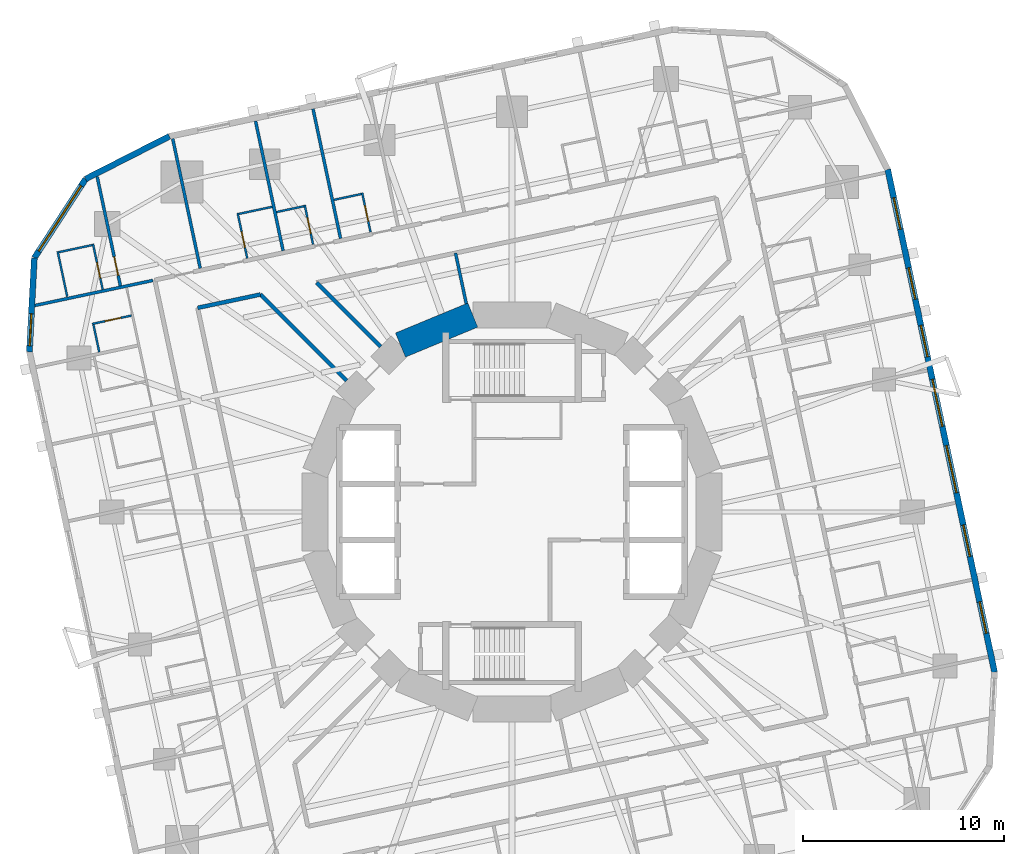
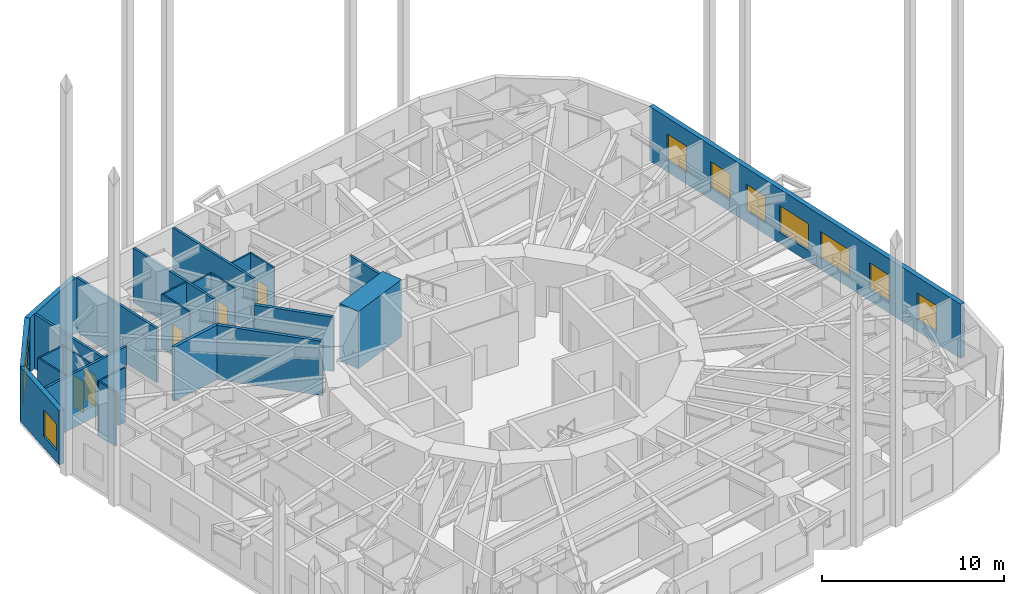
# One storey, part 9 of 12: 25 walls, 9 windows, 6 doors, 15 openings.
"""IFC4 building model written with IfcOpenShell, lengths in metres."""

from ifc_helpers import new_model, si_unit, direction, frame, frame_2d, origin, place, context, subcontext, project, spatial, rectangle, extrude, material, layer, layer_set, type_object, element, fill, save


model = new_model("IFC4")

# Units and contexts
model_context = context("Model", 3, precision=1e-05, world=origin(), true_north=direction((0.0, 1.0)))
body_context = subcontext(model_context, "Body", "Model", "MODEL_VIEW")
ifc_project = project(units=[si_unit("LENGTHUNIT", "METRE"), si_unit("AREAUNIT", "SQUARE_METRE"), si_unit("VOLUMEUNIT", "CUBIC_METRE"), si_unit("PLANEANGLEUNIT", "RADIAN"), si_unit("MASSUNIT", "GRAM", prefix="KILO")], contexts=[model_context])

# Site, building, storey
site_placement = place(None, origin())
site = spatial("IfcSite", under=ifc_project, at=site_placement, CompositionType="ELEMENT")
building_placement = place(site_placement, origin())
building = spatial("IfcBuilding", under=site, at=building_placement, Name="Nakasero Lantern House", CompositionType="ELEMENT")
storey_placement = place(building_placement, frame((0.0, 0.0, 101.14990234375)))
storey = spatial("IfcBuildingStorey", under=building, at=storey_placement, Name="L24", CompositionType="ELEMENT", Elevation=101.14990234375)

# Walls
ifc_material_1 = material(Name="Concrete C50/60", Category="concrete")
ifc_layer_1 = layer(ifc_material_1, 1.300048828125)
ifc_layer_set_1 = layer_set([ifc_layer_1], Name="Core wall 1300")
wall_type_1 = type_object("IfcWallType", Name="Core wall 1300", PredefinedType="SHEAR", material=ifc_layer_set_1)
wall_1_placement = place(storey_placement, frame((-1.950927734375, 9.807861328125, 0.0), z_axis=(0.0, 0.0, 1.0), x_axis=(-0.923876507187, -0.382690736062, 0.0)))
element("IfcWall", 1, at=wall_1_placement, inside=storey, type_object=wall_type_1, Name="Core wall L24 facet 5", PredefinedType="SHEAR", context=body_context, shape_type="SweptSolid", body=[
    extrude(rectangle(XDim=3.90185546875, YDim=1.300048828125, at=frame_2d((1.950927734375, 0.0))), origin(), (0.0, 0.0, 1.0), 3.85009765625),
])
ifc_material_2 = material(Name="Blockwork", Category="masonry")
ifc_layer_2 = layer(ifc_material_2, 0.199951171875)
ifc_layer_set_2 = layer_set([ifc_layer_2], Name="Corridor wall 200")
wall_type_2 = type_object("IfcWallType", Name="Corridor wall 200", PredefinedType="PARTITIONING", material=ifc_layer_set_2)
wall_2_placement = place(storey_placement, frame((-12.52880859375, 10.831787109375, 0.0), z_axis=(0.0, 0.0, 1.0), x_axis=(-0.978141962979, -0.2079382126, 0.0)))
element("IfcWall", 2, at=wall_2_placement, inside=storey, type_object=wall_type_2, Name="Corridor wall L24 IW1-1", PredefinedType="PARTITIONING", context=body_context, shape_type="SweptSolid", body=[
    extrude(rectangle(XDim=3.197021484375, YDim=0.199951171875, at=frame_2d((1.5986328125, 0.0))), origin(), (0.0, 0.0, 1.0), 3.650146484375),
])
wall_3_placement = place(storey_placement, frame((-8.243408203125, 6.54638671875, 0.0), z_axis=(0.0, 0.0, 1.0), x_axis=(-0.707106781187, 0.707106781187, 0.0)))
element("IfcWall", 3, at=wall_3_placement, inside=storey, type_object=wall_type_2, Name="Corridor wall L24 PS06a", PredefinedType="PARTITIONING", context=body_context, shape_type="SweptSolid", body=[
    extrude(rectangle(XDim=6.060546875, YDim=0.199951171875, at=frame_2d((3.0302734375, 0.0))), origin(), (0.0, 0.0, 1.0), 3.650146484375),
])
wall_4_placement = place(storey_placement, frame((-6.54638671875, 8.243408203125, 0.0), z_axis=(0.0, 0.0, 1.0), x_axis=(-0.707106781187, 0.707106781187, 0.0)))
element("IfcWall", 4, at=wall_4_placement, inside=storey, type_object=wall_type_2, Name="Corridor wall L24 PS06b", PredefinedType="PARTITIONING", context=body_context, shape_type="SweptSolid", body=[
    extrude(rectangle(XDim=4.501953125, YDim=0.199951171875, at=frame_2d((2.2509765625, 0.0))), origin(), (0.0, 0.0, 1.0), 3.650146484375),
])

# Wall, opening, door
ifc_material_3 = material(Name="Blockwork", Category="masonry")
ifc_layer_3 = layer(ifc_material_3, 0.10009765625)
ifc_layer_set_3 = layer_set([ifc_layer_3], Name="En-suite wall 100")
wall_type_3 = type_object("IfcWallType", Name="En-suite wall 100", PredefinedType="PARTITIONING", material=ifc_layer_set_3)
wall_5_placement = place(storey_placement, frame((-7.046142578125, 13.939697265625, 0.0), z_axis=(0.0, 0.0, 1.0), x_axis=(-0.207886494942, 0.978152955943, 0.0)))
wall_5 = element("IfcWall", 5, at=wall_5_placement, inside=storey, type_object=wall_type_3, Name="En-suite wall L24 ES1-05", PredefinedType="PARTITIONING", context=body_context, shape_type="SweptSolid", body=[
    extrude(rectangle(XDim=2.0, YDim=0.10009765625, at=frame_2d((1.0, 0.0))), origin(), (0.0, 0.0, 1.0), 3.650146484375),
])
opening_1_placement = place(wall_5_placement, frame((0.550048828125, 0.0, 0.0)))
opening_1 = element("IfcOpeningElement", 6, at=opening_1_placement, cuts=wall_5, Name="Opening D02", PredefinedType="OPENING", context=body_context, shape_type="SweptSolid", body=[
    extrude(rectangle(XDim=0.800048828125, YDim=2.10009765625, at=frame_2d((0.39990234375, 1.050048828125))), frame((0.0, 0.070068359375, 0.0), z_axis=(0.0, -1.0, 0.0), x_axis=(1.0, 0.0, 0.0)), (0.0, 0.0, 1.0), 0.14013671875),
])
ifc_material_4 = material(Name="Timber C24", Category="wood")
door_type_1 = type_object("IfcDoorType", Name="En-suite door 800", OperationType="SINGLE_SWING_RIGHT", PredefinedType="DOOR", material=ifc_material_4)
door_1_placement = place(opening_1_placement, origin())
door_1 = element("IfcDoor", 7, at=door_1_placement, inside=storey, type_object=door_type_1, Name="Door L24 DE1-05", OperationType="SINGLE_SWING_LEFT", OverallHeight=2.10009765625, OverallWidth=0.800048828125, PredefinedType="DOOR", context=body_context, shape_type="SweptSolid", body=[
    extrude(rectangle(XDim=0.800048828125, YDim=2.10009765625, at=frame_2d((0.39990234375, 1.050048828125))), frame((0.0, 0.02490234375, 0.0), z_axis=(0.0, -1.0, 0.0), x_axis=(1.0, 0.0, 0.0)), (0.0, 0.0, 1.0), 0.050048828125),
])
fill(opening_1, door_1)

# Wall
wall_6_placement = place(storey_placement, frame((-7.50048828125, 15.836669921875, 0.0), z_axis=(0.0, 0.0, 1.0), x_axis=(-0.978155748334, -0.207873355681, 0.0)))
element("IfcWall", 8, at=wall_6_placement, inside=storey, type_object=wall_type_3, Name="En-suite wall L24 EE1-05", PredefinedType="PARTITIONING", context=body_context, shape_type="SweptSolid", body=[
    extrude(rectangle(XDim=1.39990234375, YDim=0.10009765625, at=frame_2d((0.699951171875, 0.0))), origin(), (0.0, 0.0, 1.0), 3.650146484375),
])

# Wall, opening, door
wall_7_placement = place(storey_placement, frame((-9.908447265625, 13.331298828125, 0.0), z_axis=(0.0, 0.0, 1.0), x_axis=(-0.208003285743, 0.978128127149, 0.0)))
wall_7 = element("IfcWall", 9, at=wall_7_placement, inside=storey, type_object=wall_type_3, Name="En-suite wall L24 ES1-06", PredefinedType="PARTITIONING", context=body_context, shape_type="SweptSolid", body=[
    extrude(rectangle(XDim=2.0, YDim=0.10009765625, at=frame_2d((1.0, 0.0))), origin(), (0.0, 0.0, 1.0), 3.650146484375),
])
opening_2_placement = place(wall_7_placement, frame((0.550048828125, 0.0, 0.0)))
opening_2 = element("IfcOpeningElement", 10, at=opening_2_placement, cuts=wall_7, Name="Opening D02", PredefinedType="OPENING", context=body_context, shape_type="SweptSolid", body=[
    extrude(rectangle(XDim=0.800048828125, YDim=2.10009765625, at=frame_2d((0.39990234375, 1.050048828125))), frame((0.0, 0.070068359375, 0.0), z_axis=(0.0, -1.0, 0.0), x_axis=(1.0, 0.0, 0.0)), (0.0, 0.0, 1.0), 0.14013671875),
])
door_2_placement = place(opening_2_placement, origin())
door_2 = element("IfcDoor", 11, at=door_2_placement, inside=storey, type_object=door_type_1, Name="Door L24 DE1-06", OperationType="SINGLE_SWING_LEFT", OverallHeight=2.10009765625, OverallWidth=0.800048828125, PredefinedType="DOOR", context=body_context, shape_type="SweptSolid", body=[
    extrude(rectangle(XDim=0.800048828125, YDim=2.10009765625, at=frame_2d((0.39990234375, 1.050048828125))), frame((0.0, 0.02490234375, 0.0), z_axis=(0.0, -1.0, 0.0), x_axis=(1.0, 0.0, 0.0)), (0.0, 0.0, 1.0), 0.050048828125),
])
fill(opening_2, door_2)

# Wall
wall_8_placement = place(storey_placement, frame((-10.36279296875, 15.228271484375, 0.0), z_axis=(0.0, 0.0, 1.0), x_axis=(-0.978155748334, -0.207873355681, 0.0)))
element("IfcWall", 12, at=wall_8_placement, inside=storey, type_object=wall_type_3, Name="En-suite wall L24 EE1-06", PredefinedType="PARTITIONING", context=body_context, shape_type="SweptSolid", body=[
    extrude(rectangle(XDim=1.39990234375, YDim=0.10009765625, at=frame_2d((0.699951171875, 0.0))), origin(), (0.0, 0.0, 1.0), 3.650146484375),
])

# Wall, opening, door
wall_9_placement = place(storey_placement, frame((-13.185302734375, 12.634765625, 0.0), z_axis=(0.0, 0.0, 1.0), x_axis=(-0.207941273027, 0.978141312374, 0.0)))
wall_9 = element("IfcWall", 13, at=wall_9_placement, inside=storey, type_object=wall_type_3, Name="En-suite wall L24 ES1-07", PredefinedType="PARTITIONING", context=body_context, shape_type="SweptSolid", body=[
    extrude(rectangle(XDim=2.300048828125, YDim=0.10009765625, at=frame_2d((1.14990234375, 0.0))), origin(), (0.0, 0.0, 1.0), 3.650146484375),
])
opening_3_placement = place(wall_9_placement, frame((0.550048828125, 0.0, 0.0)))
opening_3 = element("IfcOpeningElement", 14, at=opening_3_placement, cuts=wall_9, Name="Opening D02", PredefinedType="OPENING", context=body_context, shape_type="SweptSolid", body=[
    extrude(rectangle(XDim=0.800048828125, YDim=2.10009765625, at=frame_2d((0.39990234375, 1.050048828125))), frame((0.0, 0.070068359375, 0.0), z_axis=(0.0, -1.0, 0.0), x_axis=(1.0, 0.0, 0.0)), (0.0, 0.0, 1.0), 0.14013671875),
])
door_3_placement = place(opening_3_placement, origin())
door_3 = element("IfcDoor", 15, at=door_3_placement, inside=storey, type_object=door_type_1, Name="Door L24 DE1-07", OperationType="SINGLE_SWING_LEFT", OverallHeight=2.10009765625, OverallWidth=0.800048828125, PredefinedType="DOOR", context=body_context, shape_type="SweptSolid", body=[
    extrude(rectangle(XDim=0.800048828125, YDim=2.10009765625, at=frame_2d((0.39990234375, 1.050048828125))), frame((0.0, 0.02490234375, 0.0), z_axis=(0.0, -1.0, 0.0), x_axis=(1.0, 0.0, 0.0)), (0.0, 0.0, 1.0), 0.050048828125),
])
fill(opening_3, door_3)

# Wall
wall_10_placement = place(storey_placement, frame((-11.94140625, 15.199462890625, 0.0), z_axis=(0.0, 0.0, 1.0), x_axis=(-0.97813950236, -0.207949787024, 0.0)))
element("IfcWall", 16, at=wall_10_placement, inside=storey, type_object=wall_type_3, Name="En-suite wall L24 EE1-07", PredefinedType="PARTITIONING", context=body_context, shape_type="SweptSolid", body=[
    extrude(rectangle(XDim=1.699951171875, YDim=0.10009765625, at=frame_2d((0.85009765625, 0.0))), origin(), (0.0, 0.0, 1.0), 3.650146484375),
])

# Wall, opening, door
wall_11_placement = place(storey_placement, frame((-20.382568359375, 11.069091796875, 0.0), z_axis=(0.0, 0.0, 1.0), x_axis=(-0.207965047255, 0.978136257952, 0.0)))
wall_11 = element("IfcWall", 17, at=wall_11_placement, inside=storey, type_object=wall_type_3, Name="En-suite wall L24 ES1-08", PredefinedType="PARTITIONING", context=body_context, shape_type="SweptSolid", body=[
    extrude(rectangle(XDim=2.3349609375, YDim=0.10009765625, at=frame_2d((1.16748046875, 0.0))), origin(), (0.0, 0.0, 1.0), 3.650146484375),
])
opening_4_placement = place(wall_11_placement, frame((0.5849609375, 0.0, 0.0)))
opening_4 = element("IfcOpeningElement", 18, at=opening_4_placement, cuts=wall_11, Name="Opening D02", PredefinedType="OPENING", context=body_context, shape_type="SweptSolid", body=[
    extrude(rectangle(XDim=0.800048828125, YDim=2.10009765625, at=frame_2d((0.39990234375, 1.050048828125))), frame((0.0, 0.070068359375, 0.0), z_axis=(0.0, -1.0, 0.0), x_axis=(1.0, 0.0, 0.0)), (0.0, 0.0, 1.0), 0.14013671875),
])
door_4_placement = place(opening_4_placement, origin())
door_4 = element("IfcDoor", 19, at=door_4_placement, inside=storey, type_object=door_type_1, Name="Door L24 DE1-08", OperationType="SINGLE_SWING_LEFT", OverallHeight=2.10009765625, OverallWidth=0.800048828125, PredefinedType="DOOR", context=body_context, shape_type="SweptSolid", body=[
    extrude(rectangle(XDim=0.800048828125, YDim=2.10009765625, at=frame_2d((0.39990234375, 1.050048828125))), frame((0.0, 0.02490234375, 0.0), z_axis=(0.0, -1.0, 0.0), x_axis=(1.0, 0.0, 0.0)), (0.0, 0.0, 1.0), 0.050048828125),
])
fill(opening_4, door_4)

# Walls
wall_12_placement = place(storey_placement, frame((-20.906494140625, 13.293701171875, 0.0), z_axis=(0.0, 0.0, 1.0), x_axis=(-0.978168704767, -0.207812379357, 0.0)))
element("IfcWall", 20, at=wall_12_placement, inside=storey, type_object=wall_type_3, Name="En-suite wall L24 EE1-08", PredefinedType="PARTITIONING", context=body_context, shape_type="SweptSolid", body=[
    extrude(rectangle(XDim=1.699951171875, YDim=0.10009765625, at=frame_2d((0.85009765625, 0.0))), origin(), (0.0, 0.0, 1.0), 3.650146484375),
])
wall_13_placement = place(storey_placement, frame((-22.150634765625, 10.72900390625, 0.0), z_axis=(0.0, 0.0, 1.0), x_axis=(-0.207839712757, 0.978162897375, 0.0)))
element("IfcWall", 21, at=wall_13_placement, inside=storey, type_object=wall_type_3, Name="En-suite wall L24 EV1-08", PredefinedType="PARTITIONING", context=body_context, shape_type="SweptSolid", body=[
    extrude(rectangle(XDim=2.300048828125, YDim=0.10009765625, at=frame_2d((1.14990234375, 0.0))), origin(), (0.0, 0.0, 1.0), 3.650146484375),
])

# Wall, opening, door
wall_14_placement = place(storey_placement, frame((-18.947998046875, 9.783203125, 0.0), z_axis=(0.0, 0.0, 1.0), x_axis=(-0.978128127149, -0.208003285743, 0.0)))
wall_14 = element("IfcWall", 22, at=wall_14_placement, inside=storey, type_object=wall_type_3, Name="En-suite wall L24 ES2-00", PredefinedType="PARTITIONING", context=body_context, shape_type="SweptSolid", body=[
    extrude(rectangle(XDim=2.0, YDim=0.10009765625, at=frame_2d((1.0, 0.0))), origin(), (0.0, 0.0, 1.0), 3.650146484375),
])
opening_5_placement = place(wall_14_placement, frame((0.550048828125, 0.0, 0.0)))
opening_5 = element("IfcOpeningElement", 23, at=opening_5_placement, cuts=wall_14, Name="Opening D02", PredefinedType="OPENING", context=body_context, shape_type="SweptSolid", body=[
    extrude(rectangle(XDim=0.800048828125, YDim=2.10009765625, at=frame_2d((0.39990234375, 1.050048828125))), frame((0.0, 0.070068359375, 0.0), z_axis=(0.0, -1.0, 0.0), x_axis=(1.0, 0.0, 0.0)), (0.0, 0.0, 1.0), 0.14013671875),
])
door_5_placement = place(opening_5_placement, origin())
door_5 = element("IfcDoor", 24, at=door_5_placement, inside=storey, type_object=door_type_1, Name="Door L24 DE2-00", OperationType="SINGLE_SWING_LEFT", OverallHeight=2.10009765625, OverallWidth=0.800048828125, PredefinedType="DOOR", context=body_context, shape_type="SweptSolid", body=[
    extrude(rectangle(XDim=0.800048828125, YDim=2.10009765625, at=frame_2d((0.39990234375, 1.050048828125))), frame((0.0, 0.02490234375, 0.0), z_axis=(0.0, -1.0, 0.0), x_axis=(1.0, 0.0, 0.0)), (0.0, 0.0, 1.0), 0.050048828125),
])
fill(opening_5, door_5)

# Wall
wall_15_placement = place(storey_placement, frame((-20.844970703125, 9.328857421875, 0.0), z_axis=(0.0, 0.0, 1.0), x_axis=(0.207873355681, -0.978155748334, 0.0)))
element("IfcWall", 25, at=wall_15_placement, inside=storey, type_object=wall_type_3, Name="En-suite wall L24 EE2-00", PredefinedType="PARTITIONING", context=body_context, shape_type="SweptSolid", body=[
    extrude(rectangle(XDim=1.39990234375, YDim=0.10009765625, at=frame_2d((0.699951171875, 0.0))), origin(), (0.0, 0.0, 1.0), 3.650146484375),
])

# Wall, openings, windows
ifc_material_5 = material(Name="Aluminium rainscreen on blockwork", Category="masonry")
ifc_layer_4 = layer(ifc_material_5, 0.300048828125)
ifc_layer_set_4 = layer_set([ifc_layer_4], Name="Facade wall 300")
wall_type_4 = type_object("IfcWallType", Name="Facade wall 300", PredefinedType="SOLIDWALL", material=ifc_layer_set_4)
wall_16_placement = place(storey_placement, frame((24.03369140625, -7.9775390625, 0.0), z_axis=(0.0, 0.0, 1.0), x_axis=(-0.207909055127, 0.978148160964, 0.0)))
wall_16 = element("IfcWall", 26, at=wall_16_placement, inside=storey, type_object=wall_type_4, Name="Facade wall L24 FW0S", PredefinedType="SOLIDWALL", context=body_context, shape_type="SweptSolid", body=[
    extrude(rectangle(XDim=25.60009765625, YDim=0.300048828125, at=frame_2d((12.800048828125, 0.0))), origin(), (0.0, 0.0, 1.0), 3.650146484375),
])
opening_6_placement = place(wall_16_placement, frame((1.975830078125, 0.0, 0.75)))
opening_6 = element("IfcOpeningElement", 27, at=opening_6_placement, cuts=wall_16, Name="Opening W01", PredefinedType="OPENING", context=body_context, shape_type="SweptSolid", body=[
    extrude(rectangle(XDim=1.60009765625, YDim=1.800048828125, at=frame_2d((0.800048828125, 0.89990234375))), frame((0.0, 0.169921875, 0.0), z_axis=(0.0, -1.0, 0.0), x_axis=(1.0, 0.0, 0.0)), (0.0, 0.0, 1.0), 0.340087890625),
])
opening_7_placement = place(wall_16_placement, frame((5.8955078125, 0.0, 0.75)))
opening_7 = element("IfcOpeningElement", 28, at=opening_7_placement, cuts=wall_16, Name="Opening W01", PredefinedType="OPENING", context=body_context, shape_type="SweptSolid", body=[
    extrude(rectangle(XDim=1.60009765625, YDim=1.800048828125, at=frame_2d((0.800048828125, 0.89990234375))), frame((0.0, 0.169921875, 0.0), z_axis=(0.0, -1.0, 0.0), x_axis=(1.0, 0.0, 0.0)), (0.0, 0.0, 1.0), 0.340087890625),
])
opening_8_placement = place(wall_16_placement, frame((16.0556640625, 0.0, 0.75)))
opening_8 = element("IfcOpeningElement", 29, at=opening_8_placement, cuts=wall_16, Name="Opening W01", PredefinedType="OPENING", context=body_context, shape_type="SweptSolid", body=[
    extrude(rectangle(XDim=1.60009765625, YDim=1.800048828125, at=frame_2d((0.800048828125, 0.89990234375))), frame((0.0, 0.169921875, 0.0), z_axis=(0.0, -1.0, 0.0), x_axis=(1.0, 0.0, 0.0)), (0.0, 0.0, 1.0), 0.340087890625),
])
opening_9_placement = place(wall_16_placement, frame((18.982177734375, 0.0, 0.75)))
opening_9 = element("IfcOpeningElement", 30, at=opening_9_placement, cuts=wall_16, Name="Opening W01", PredefinedType="OPENING", context=body_context, shape_type="SweptSolid", body=[
    extrude(rectangle(XDim=1.60009765625, YDim=1.800048828125, at=frame_2d((0.800048828125, 0.89990234375))), frame((0.0, 0.169921875, 0.0), z_axis=(0.0, -1.0, 0.0), x_axis=(1.0, 0.0, 0.0)), (0.0, 0.0, 1.0), 0.340087890625),
])
opening_10_placement = place(wall_16_placement, frame((22.554443359375, 0.0, 0.75)))
opening_10 = element("IfcOpeningElement", 31, at=opening_10_placement, cuts=wall_16, Name="Opening W01", PredefinedType="OPENING", context=body_context, shape_type="SweptSolid", body=[
    extrude(rectangle(XDim=1.60009765625, YDim=1.800048828125, at=frame_2d((0.800048828125, 0.89990234375))), frame((0.0, 0.169921875, 0.0), z_axis=(0.0, -1.0, 0.0), x_axis=(1.0, 0.0, 0.0)), (0.0, 0.0, 1.0), 0.340087890625),
])
opening_11_placement = place(wall_16_placement, frame((9.139404296875, 0.0, 0.75)))
opening_11 = element("IfcOpeningElement", 32, at=opening_11_placement, cuts=wall_16, Name="Opening W03", PredefinedType="OPENING", context=body_context, shape_type="SweptSolid", body=[
    extrude(rectangle(XDim=2.39990234375, YDim=1.800048828125, at=frame_2d((1.199951171875, 0.89990234375))), frame((0.0, 0.169921875, 0.0), z_axis=(0.0, -1.0, 0.0), x_axis=(1.0, 0.0, 0.0)), (0.0, 0.0, 1.0), 0.340087890625),
])
opening_12_placement = place(wall_16_placement, frame((12.50830078125, 0.0, 0.75)))
opening_12 = element("IfcOpeningElement", 33, at=opening_12_placement, cuts=wall_16, Name="Opening W03", PredefinedType="OPENING", context=body_context, shape_type="SweptSolid", body=[
    extrude(rectangle(XDim=2.39990234375, YDim=1.800048828125, at=frame_2d((1.199951171875, 0.89990234375))), frame((0.0, 0.169921875, 0.0), z_axis=(0.0, -1.0, 0.0), x_axis=(1.0, 0.0, 0.0)), (0.0, 0.0, 1.0), 0.340087890625),
])
ifc_material_6 = material(Name="Aluminium 6063-T6 and glass", Category="aluminium")
window_type_1 = type_object("IfcWindowType", Name="Bedroom window 1600x1800", PartitioningType="SINGLE_PANEL", PredefinedType="WINDOW", material=ifc_material_6)
window_1_placement = place(opening_6_placement, origin())
window_1 = element("IfcWindow", 34, at=window_1_placement, inside=storey, type_object=window_type_1, Name="Window L24 WN0-01", OverallHeight=1.800048828125, OverallWidth=1.60009765625, PartitioningType="SINGLE_PANEL", PredefinedType="WINDOW", context=body_context, shape_type="SweptSolid", body=[
    extrude(rectangle(XDim=1.60009765625, YDim=1.800048828125, at=frame_2d((0.800048828125, 0.89990234375))), frame((0.0, 0.030029296875, 0.0), z_axis=(0.0, -1.0, 0.0), x_axis=(1.0, 0.0, 0.0)), (0.0, 0.0, 1.0), 0.06005859375),
])
fill(opening_6, window_1)
window_2_placement = place(opening_7_placement, origin())
window_2 = element("IfcWindow", 35, at=window_2_placement, inside=storey, type_object=window_type_1, Name="Window L24 WN0-02", OverallHeight=1.800048828125, OverallWidth=1.60009765625, PartitioningType="SINGLE_PANEL", PredefinedType="WINDOW", context=body_context, shape_type="SweptSolid", body=[
    extrude(rectangle(XDim=1.60009765625, YDim=1.800048828125, at=frame_2d((0.800048828125, 0.89990234375))), frame((0.0, 0.030029296875, 0.0), z_axis=(0.0, -1.0, 0.0), x_axis=(1.0, 0.0, 0.0)), (0.0, 0.0, 1.0), 0.06005859375),
])
fill(opening_7, window_2)
window_3_placement = place(opening_8_placement, origin())
window_3 = element("IfcWindow", 36, at=window_3_placement, inside=storey, type_object=window_type_1, Name="Window L24 WN0-05", OverallHeight=1.800048828125, OverallWidth=1.60009765625, PartitioningType="SINGLE_PANEL", PredefinedType="WINDOW", context=body_context, shape_type="SweptSolid", body=[
    extrude(rectangle(XDim=1.60009765625, YDim=1.800048828125, at=frame_2d((0.800048828125, 0.89990234375))), frame((0.0, 0.030029296875, 0.0), z_axis=(0.0, -1.0, 0.0), x_axis=(1.0, 0.0, 0.0)), (0.0, 0.0, 1.0), 0.06005859375),
])
fill(opening_8, window_3)
window_4_placement = place(opening_9_placement, origin())
window_4 = element("IfcWindow", 37, at=window_4_placement, inside=storey, type_object=window_type_1, Name="Window L24 WN0-06", OverallHeight=1.800048828125, OverallWidth=1.60009765625, PartitioningType="SINGLE_PANEL", PredefinedType="WINDOW", context=body_context, shape_type="SweptSolid", body=[
    extrude(rectangle(XDim=1.60009765625, YDim=1.800048828125, at=frame_2d((0.800048828125, 0.89990234375))), frame((0.0, 0.030029296875, 0.0), z_axis=(0.0, -1.0, 0.0), x_axis=(1.0, 0.0, 0.0)), (0.0, 0.0, 1.0), 0.06005859375),
])
fill(opening_9, window_4)
window_5_placement = place(opening_10_placement, origin())
window_5 = element("IfcWindow", 38, at=window_5_placement, inside=storey, type_object=window_type_1, Name="Window L24 WN0-07", OverallHeight=1.800048828125, OverallWidth=1.60009765625, PartitioningType="SINGLE_PANEL", PredefinedType="WINDOW", context=body_context, shape_type="SweptSolid", body=[
    extrude(rectangle(XDim=1.60009765625, YDim=1.800048828125, at=frame_2d((0.800048828125, 0.89990234375))), frame((0.0, 0.030029296875, 0.0), z_axis=(0.0, -1.0, 0.0), x_axis=(1.0, 0.0, 0.0)), (0.0, 0.0, 1.0), 0.06005859375),
])
fill(opening_10, window_5)
ifc_material_7 = material(Name="Aluminium 6063-T6 and glass", Category="aluminium")
window_type_2 = type_object("IfcWindowType", Name="Lounge window 2400x1800", PartitioningType="SINGLE_PANEL", PredefinedType="WINDOW", material=ifc_material_7)
window_6_placement = place(opening_11_placement, origin())
window_6 = element("IfcWindow", 39, at=window_6_placement, inside=storey, type_object=window_type_2, Name="Window L24 WK0", OverallHeight=1.800048828125, OverallWidth=2.39990234375, PartitioningType="SINGLE_PANEL", PredefinedType="WINDOW", context=body_context, shape_type="SweptSolid", body=[
    extrude(rectangle(XDim=2.39990234375, YDim=1.800048828125, at=frame_2d((1.199951171875, 0.89990234375))), frame((0.0, 0.030029296875, 0.0), z_axis=(0.0, -1.0, 0.0), x_axis=(1.0, 0.0, 0.0)), (0.0, 0.0, 1.0), 0.06005859375),
])
fill(opening_11, window_6)
window_7_placement = place(opening_12_placement, origin())
window_7 = element("IfcWindow", 40, at=window_7_placement, inside=storey, type_object=window_type_2, Name="Window L24 WL0", OverallHeight=1.800048828125, OverallWidth=2.39990234375, PartitioningType="SINGLE_PANEL", PredefinedType="WINDOW", context=body_context, shape_type="SweptSolid", body=[
    extrude(rectangle(XDim=2.39990234375, YDim=1.800048828125, at=frame_2d((1.199951171875, 0.89990234375))), frame((0.0, 0.030029296875, 0.0), z_axis=(0.0, -1.0, 0.0), x_axis=(1.0, 0.0, 0.0)), (0.0, 0.0, 1.0), 0.06005859375),
])
fill(opening_12, window_7)

# Wall
wall_17_placement = place(storey_placement, frame((-17.063232421875, 18.711181640625, 0.0), z_axis=(0.0, 0.0, 1.0), x_axis=(-0.89101404178, -0.453975745332, 0.0)))
element("IfcWall", 41, at=wall_17_placement, inside=storey, type_object=wall_type_4, Name="Facade wall L24 FW1C1", PredefinedType="SOLIDWALL", context=body_context, shape_type="SweptSolid", body=[
    extrude(rectangle(XDim=4.6845703125, YDim=0.300048828125, at=frame_2d((2.34228515625, 0.0))), origin(), (0.0, 0.0, 1.0), 3.650146484375),
])

# Wall, opening, window
wall_18_placement = place(storey_placement, frame((-21.2373046875, 16.58447265625, 0.0), z_axis=(0.0, 0.0, 1.0), x_axis=(-0.544605442853, -0.838692381994, 0.0)))
wall_18 = element("IfcWall", 42, at=wall_18_placement, inside=storey, type_object=wall_type_4, Name="Facade wall L24 FW1C2", PredefinedType="SOLIDWALL", context=body_context, shape_type="SweptSolid", body=[
    extrude(rectangle(XDim=4.6845703125, YDim=0.300048828125, at=frame_2d((2.34228515625, 0.0))), origin(), (0.0, 0.0, 1.0), 3.650146484375),
])
opening_13_placement = place(wall_18_placement, frame((0.39990234375, 0.0, 0.75)))
opening_13 = element("IfcOpeningElement", 43, at=opening_13_placement, cuts=wall_18, Name="Opening W238", PredefinedType="OPENING", context=body_context, shape_type="SweptSolid", body=[
    extrude(rectangle(XDim=3.885009765625, YDim=1.800048828125, at=frame_2d((1.9423828125, 0.89990234375))), frame((0.0, 0.169921875, 0.0), z_axis=(0.0, -1.0, 0.0), x_axis=(1.0, 0.0, 0.0)), (0.0, 0.0, 1.0), 0.340087890625),
])
ifc_material_8 = material(Name="Aluminium 6063-T6 and glass", Category="aluminium")
window_type_3 = type_object("IfcWindowType", Name="Corner window 3885x1800", PartitioningType="SINGLE_PANEL", PredefinedType="WINDOW", material=ifc_material_8)
window_8_placement = place(opening_13_placement, origin())
window_8 = element("IfcWindow", 44, at=window_8_placement, inside=storey, type_object=window_type_3, Name="Window L24 WC1", OverallHeight=1.800048828125, OverallWidth=3.885009765625, PartitioningType="SINGLE_PANEL", PredefinedType="WINDOW", context=body_context, shape_type="SweptSolid", body=[
    extrude(rectangle(XDim=3.885009765625, YDim=1.800048828125, at=frame_2d((1.9423828125, 0.89990234375))), frame((0.0, 0.030029296875, 0.0), z_axis=(0.0, -1.0, 0.0), x_axis=(1.0, 0.0, 0.0)), (0.0, 0.0, 1.0), 0.06005859375),
])
fill(opening_13, window_8)

wall_19_placement = place(storey_placement, frame((-23.78857421875, 12.655517578125, 0.0), z_axis=(0.0, 0.0, 1.0), x_axis=(-0.052326317, -0.998630039879, 0.0)))
wall_19 = element("IfcWall", 45, at=wall_19_placement, inside=storey, type_object=wall_type_4, Name="Facade wall L24 FW1C3", PredefinedType="SOLIDWALL", context=body_context, shape_type="SweptSolid", body=[
    extrude(rectangle(XDim=4.684326171875, YDim=0.300048828125, at=frame_2d((2.34228515625, 0.0))), origin(), (0.0, 0.0, 1.0), 3.650146484375),
])
opening_14_placement = place(wall_19_placement, frame((2.784912109375, 0.0, 0.75)))
opening_14 = element("IfcOpeningElement", 46, at=opening_14_placement, cuts=wall_19, Name="Opening W01", PredefinedType="OPENING", context=body_context, shape_type="SweptSolid", body=[
    extrude(rectangle(XDim=1.60009765625, YDim=1.800048828125, at=frame_2d((0.800048828125, 0.89990234375))), frame((0.0, 0.169921875, 0.0), z_axis=(0.0, -1.0, 0.0), x_axis=(1.0, 0.0, 0.0)), (0.0, 0.0, 1.0), 0.340087890625),
])
window_9_placement = place(opening_14_placement, origin())
window_9 = element("IfcWindow", 47, at=window_9_placement, inside=storey, type_object=window_type_1, Name="Window L24 WN2-00", OverallHeight=1.800048828125, OverallWidth=1.60009765625, PartitioningType="SINGLE_PANEL", PredefinedType="WINDOW", context=body_context, shape_type="SweptSolid", body=[
    extrude(rectangle(XDim=1.60009765625, YDim=1.800048828125, at=frame_2d((0.800048828125, 0.89990234375))), frame((0.0, 0.030029296875, 0.0), z_axis=(0.0, -1.0, 0.0), x_axis=(1.0, 0.0, 0.0)), (0.0, 0.0, 1.0), 0.06005859375),
])
fill(opening_14, window_9)

# Walls
ifc_material_9 = material(Name="Blockwork", Category="masonry")
ifc_layer_5 = layer(ifc_material_9, 0.14990234375)
ifc_layer_set_5 = layer_set([ifc_layer_5], Name="Party wall 150")
wall_type_5 = type_object("IfcWallType", Name="Party wall 150", PredefinedType="PARTITIONING", material=ifc_layer_set_5)
for number, where, z_axis, x_axis, name in (
    (48, (-8.537841796875, 13.62255859375, 0.0), (0.0, 0.0, 1.0), (-0.207889281984, 0.97815236361, 0.0), "Party wall L24 PW1-06"),
    (49, (-11.400146484375, 13.01416015625, 0.0), (0.0, 0.0, 1.0), (-0.207924673876, 0.978144841009, 0.0), "Party wall L24 PW1-07"),
    (50, (-15.526123046875, 12.13720703125, 0.0), (0.0, 0.0, 1.0), (-0.207924673876, 0.978144841009, 0.0), "Party wall L24 PW1-08"),
):
    element("IfcWall", number, at=place(storey_placement, frame(where, z_axis=z_axis, x_axis=x_axis)), inside=storey, type_object=wall_type_5, Name=name, PredefinedType="PARTITIONING", context=body_context, shape_type="SweptSolid", body=[
        extrude(rectangle(XDim=6.60009765625, YDim=0.14990234375, at=frame_2d((3.300048828125, 0.0))), origin(), (0.0, 0.0, 1.0), 3.650146484375),
    ])

# Wall, opening, door
wall_20_placement = place(storey_placement, frame((-19.502197265625, 11.256103515625, 0.0), z_axis=(0.0, 0.0, 1.0), x_axis=(-0.207936339891, 0.978142361087, 0.0)))
wall_20 = element("IfcWall", 51, at=wall_20_placement, inside=storey, type_object=wall_type_5, Name="Party wall L24 PC1", PredefinedType="PARTITIONING", context=body_context, shape_type="SweptSolid", body=[
    extrude(rectangle(XDim=5.570068359375, YDim=0.14990234375, at=frame_2d((2.78515625, 0.0))), origin(), (0.0, 0.0, 1.0), 3.650146484375),
])
opening_15_placement = place(wall_20_placement, frame((0.534912109375, 0.0, 0.0)))
opening_15 = element("IfcOpeningElement", 52, at=opening_15_placement, cuts=wall_20, Name="Opening D01", PredefinedType="OPENING", context=body_context, shape_type="SweptSolid", body=[
    extrude(rectangle(XDim=0.949951171875, YDim=2.10009765625, at=frame_2d((0.47509765625, 1.050048828125))), frame((0.0, 0.094970703125, 0.0), z_axis=(0.0, -1.0, 0.0), x_axis=(1.0, 0.0, 0.0)), (0.0, 0.0, 1.0), 0.18994140625),
])
ifc_material_10 = material(Name="Timber C24", Category="wood")
door_type_2 = type_object("IfcDoorType", Name="Bedroom door FD30S 950", OperationType="SINGLE_SWING_LEFT", PredefinedType="DOOR", material=ifc_material_10)
door_6_placement = place(opening_15_placement, origin())
door_6 = element("IfcDoor", 53, at=door_6_placement, inside=storey, type_object=door_type_2, Name="Door L24 DC1", OperationType="SINGLE_SWING_LEFT", OverallHeight=2.10009765625, OverallWidth=0.949951171875, PredefinedType="DOOR", context=body_context, shape_type="SweptSolid", body=[
    extrude(rectangle(XDim=0.949951171875, YDim=2.10009765625, at=frame_2d((0.47509765625, 1.050048828125))), frame((0.0, 0.02490234375, 0.0), z_axis=(0.0, -1.0, 0.0), x_axis=(1.0, 0.0, 0.0)), (0.0, 0.0, 1.0), 0.050048828125),
])
fill(opening_15, door_6)

# Walls
wall_21_placement = place(storey_placement, frame((-17.888671875, 11.53271484375, 0.0), z_axis=(0.0, 0.0, 1.0), x_axis=(-0.978152955943, -0.207886494942, 0.0)))
element("IfcWall", 54, at=wall_21_placement, inside=storey, type_object=wall_type_5, Name="Party wall L24 PW2-00", PredefinedType="PARTITIONING", context=body_context, shape_type="SweptSolid", body=[
    extrude(rectangle(XDim=6.0, YDim=0.14990234375, at=frame_2d((3.0, 0.0))), origin(), (0.0, 0.0, 1.0), 3.650146484375),
])
wall_22_placement = place(storey_placement, frame((-2.81298828125, 12.89697265625, 0.0), z_axis=(0.0, 0.0, 1.0), x_axis=(0.20794373203, -0.978140789615, 0.0)))
element("IfcWall", 55, at=wall_22_placement, inside=storey, type_object=wall_type_5, Name="Party wall L24 IM1", PredefinedType="PARTITIONING", context=body_context, shape_type="SweptSolid", body=[
    extrude(rectangle(XDim=2.5771484375, YDim=0.14990234375, at=frame_2d((1.28857421875, 0.0))), origin(), (0.0, 0.0, 1.0), 3.650146484375),
])

save(model, "model.ifc")
